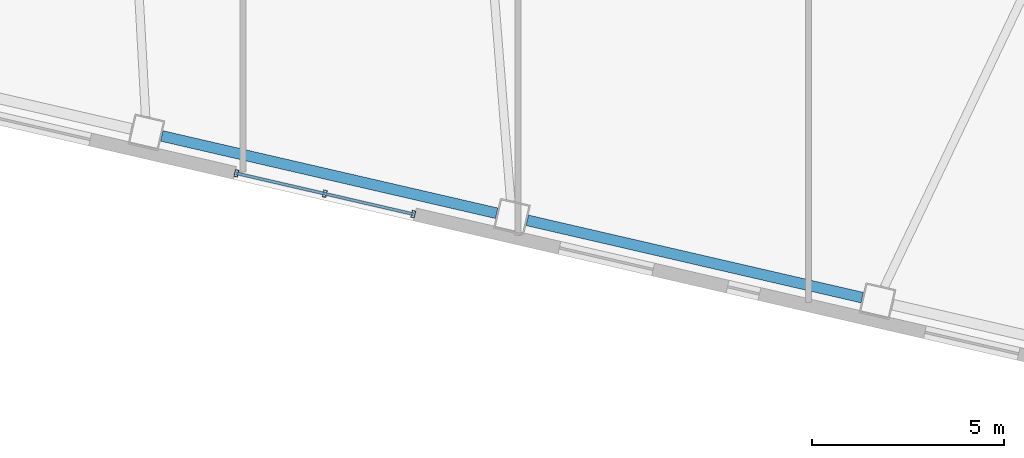
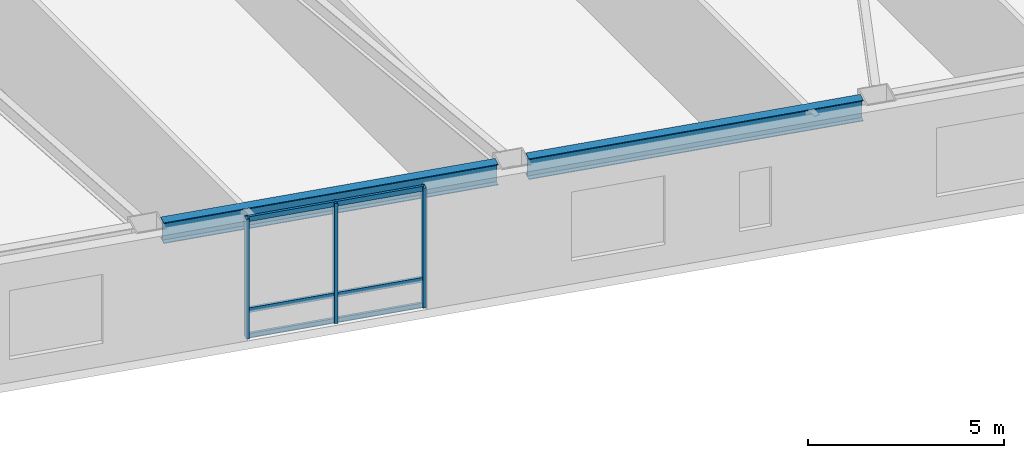
# One storey, part 6 of 20: 6 members, 2 beams, 1 element without a shape of its own.
"""IFC4 building model written with IfcOpenShell, lengths in metres."""

from ifc_helpers import new_model, si_unit, direction, frame, origin, origin_2d, place, context, subcontext, project, spatial, hollow_rectangle, i_section, extrude, material, layer, layer_set, material_profile, profile_set, type_object, element, aggregate, save


model = new_model("IFC4")

# Units and contexts
model_context = context("Model", 3, precision=1e-05, world=origin(), true_north=direction((0.0, 1.0)))
body_context = subcontext(model_context, "Body", "Model", "MODEL_VIEW")
ifc_project = project(units=[si_unit("LENGTHUNIT", "METRE"), si_unit("AREAUNIT", "SQUARE_METRE"), si_unit("VOLUMEUNIT", "CUBIC_METRE"), si_unit("PLANEANGLEUNIT", "RADIAN"), si_unit("MASSUNIT", "GRAM", prefix="KILO")], contexts=[model_context])

# Site, building, storey
site_placement = place(None, origin())
site = spatial("IfcSite", under=ifc_project, at=site_placement, CompositionType="ELEMENT")
building_placement = place(site_placement, origin())
building = spatial("IfcBuilding", under=site, at=building_placement, Name="Tavrogorsk Clinical Tower", CompositionType="ELEMENT")
storey_placement = place(building_placement, frame((0.0, 0.0, 67.39990234375)))
storey = spatial("IfcBuildingStorey", under=building, at=storey_placement, Name="L14", CompositionType="ELEMENT", Elevation=67.39990234375)

# Curtain wall, members
ifc_material_1 = material(Name="Anodised aluminium and triple IGU glazing", Category="aluminium")
ifc_layer = layer(ifc_material_1, 0.179931640625)
ifc_layer_set = layer_set([ifc_layer], Name="Anodised aluminium and triple IGU glazing")
curtain_wall_type = type_object("IfcCurtainWallType", Name="CW3_SouthSlot", PredefinedType="NOTDEFINED", material=ifc_layer_set)
curtain_wall_placement = place(storey_placement, origin())
curtain_wall = element("IfcCurtainWall", 1, at=curtain_wall_placement, inside=storey, type_object=curtain_wall_type, Name="L14 Curtain Wall CW-L14-S-SLOT-2", PredefinedType="NOTDEFINED")
ifc_material_2 = material(Name="Anodised aluminium alloy AW-6060", Category="aluminium")
ifc_material_profile_1 = material_profile(ifc_material_2, hollow_rectangle(XDim=0.090087890625, YDim=0.179931640625, WallThickness=0.00634765625, at=origin_2d()), Name="RHS-180x90x6.3")
ifc_profile_set_1 = profile_set([ifc_material_profile_1], Name="Anodised aluminium alloy AW-6060")
member_type_1 = type_object("IfcMemberType", Name="CwMullion_180x90", PredefinedType="MULLION", material=ifc_profile_set_1)
member_1_placement = place(storey_placement, frame((-0.92041015625, -28.240478515625, 0.0), z_axis=(0.0, 0.0, 1.0), x_axis=(0.974370102963, -0.224950888978, 0.0)))
member_1 = element("IfcMember", 2, at=member_1_placement, type_object=member_type_1, Name="CW-L14-S-SLOT-2 Mullion 1", PredefinedType="MULLION", context=body_context, shape_type="SweptSolid", body=[
    extrude(hollow_rectangle(XDim=0.090087890625, YDim=0.179931640625, WallThickness=0.00634765625, at=origin_2d()), origin(), (0.0, 0.0, 1.0), 3.739990234375),
])
member_2_placement = place(storey_placement, frame((1.378173828125, -28.771240234375, 0.0), z_axis=(0.0, 0.0, 1.0), x_axis=(0.974370102963, -0.224950888978, 0.0)))
member_2 = element("IfcMember", 3, at=member_2_placement, type_object=member_type_1, Name="CW-L14-S-SLOT-2 Mullion 2", PredefinedType="MULLION", context=body_context, shape_type="SweptSolid", body=[
    extrude(hollow_rectangle(XDim=0.090087890625, YDim=0.179931640625, WallThickness=0.00634765625, at=origin_2d()), origin(), (0.0, 0.0, 1.0), 3.739990234375),
])
member_3_placement = place(storey_placement, frame((3.6767578125, -29.3017578125, 0.0), z_axis=(0.0, 0.0, 1.0), x_axis=(0.974370102963, -0.224950888978, 0.0)))
member_3 = element("IfcMember", 4, at=member_3_placement, type_object=member_type_1, Name="CW-L14-S-SLOT-2 Mullion 3", PredefinedType="MULLION", context=body_context, shape_type="SweptSolid", body=[
    extrude(hollow_rectangle(XDim=0.090087890625, YDim=0.179931640625, WallThickness=0.00634765625, at=origin_2d()), origin(), (0.0, 0.0, 1.0), 3.739990234375),
])
ifc_material_3 = material(Name="Anodised aluminium alloy AW-6060", Category="aluminium")
ifc_material_profile_2 = material_profile(ifc_material_3, hollow_rectangle(XDim=0.074951171875, YDim=0.14990234375, WallThickness=0.0048828125, at=origin_2d()), Name="RHS-150x75x5")
ifc_profile_set_2 = profile_set([ifc_material_profile_2], Name="Anodised aluminium alloy AW-6060")
member_type_2 = type_object("IfcMemberType", Name="CwTransom_150x75", PredefinedType="USERDEFINED", material=ifc_profile_set_2)
member_4_placement = place(storey_placement, frame((-0.92041015625, -28.240478515625, 0.050048828125), z_axis=(0.974372877948, -0.22493886885, 0.0), x_axis=(0.22493886885, 0.974372877948, 0.0)))
member_4 = element("IfcMember", 5, at=member_4_placement, type_object=member_type_2, Name="CW-L14-S-SLOT-2 Transom 1", ObjectType="TRANSOM", PredefinedType="USERDEFINED", context=body_context, shape_type="SweptSolid", body=[
    extrude(hollow_rectangle(XDim=0.074951171875, YDim=0.14990234375, WallThickness=0.0048828125, at=origin_2d()), origin(), (0.0, 0.0, 1.0), 4.718017578125),
])
member_5_placement = place(storey_placement, frame((-0.92041015625, -28.240478515625, 0.85009765625), z_axis=(0.974372877948, -0.22493886885, 0.0), x_axis=(0.22493886885, 0.974372877948, 0.0)))
member_5 = element("IfcMember", 6, at=member_5_placement, type_object=member_type_2, Name="CW-L14-S-SLOT-2 Transom 2", ObjectType="TRANSOM", PredefinedType="USERDEFINED", context=body_context, shape_type="SweptSolid", body=[
    extrude(hollow_rectangle(XDim=0.074951171875, YDim=0.14990234375, WallThickness=0.0048828125, at=origin_2d()), origin(), (0.0, 0.0, 1.0), 4.718017578125),
])
member_6_placement = place(storey_placement, frame((-0.92041015625, -28.240478515625, 3.690185546875), z_axis=(0.974372877948, -0.22493886885, 0.0), x_axis=(0.22493886885, 0.974372877948, 0.0)))
member_6 = element("IfcMember", 7, at=member_6_placement, type_object=member_type_2, Name="CW-L14-S-SLOT-2 Transom 3", ObjectType="TRANSOM", PredefinedType="USERDEFINED", context=body_context, shape_type="SweptSolid", body=[
    extrude(hollow_rectangle(XDim=0.074951171875, YDim=0.14990234375, WallThickness=0.0048828125, at=origin_2d()), origin(), (0.0, 0.0, 1.0), 4.718017578125),
])
aggregate(curtain_wall, [member_1, member_2, member_3, member_4, member_5, member_6])

# Beams
ifc_material_4 = material(Name="Structural steel S390", Category="steel")
ifc_material_profile_3 = material_profile(ifc_material_4, i_section(OverallWidth=0.280029296875, OverallDepth=0.64990234375, WebThickness=0.01611328125, FlangeThickness=0.02490234375, at=origin_2d()), Name="B-650x280x16x25")
ifc_profile_set_3 = profile_set([ifc_material_profile_3], Name="Structural steel S390")
beam_type = type_object("IfcBeamType", Name="SpandrelBeam_B650", PredefinedType="SPANDREL", material=ifc_profile_set_3)
for number, where, z_axis, x_axis, name in (
    (8, (-2.85888671875, -27.26953125, 3.4150390625), (0.974372766602, -0.224939351168, 0.0), (0.224939351168, 0.974372766602, 0.0), "L14 Perimeter Spandrel S5-S6"),
    (9, (6.639892578125, -29.46240234375, 3.4150390625), (0.974366775889, -0.224965299645, 0.0), (0.224965299645, 0.974366775889, 0.0), "L14 Perimeter Spandrel S6-S7"),
):
    element("IfcBeam", number, at=place(storey_placement, frame(where, z_axis=z_axis, x_axis=x_axis)), inside=storey, type_object=beam_type, Name=name, PredefinedType="SPANDREL", context=body_context, shape_type="SweptSolid", body=[
        extrude(i_section(OverallWidth=0.280029296875, OverallDepth=0.64990234375, WebThickness=0.01611328125, FlangeThickness=0.02490234375, at=origin_2d()), origin(), (0.0, 0.0, 1.0), 8.9326171875),
    ])

save(model, "model.ifc")
